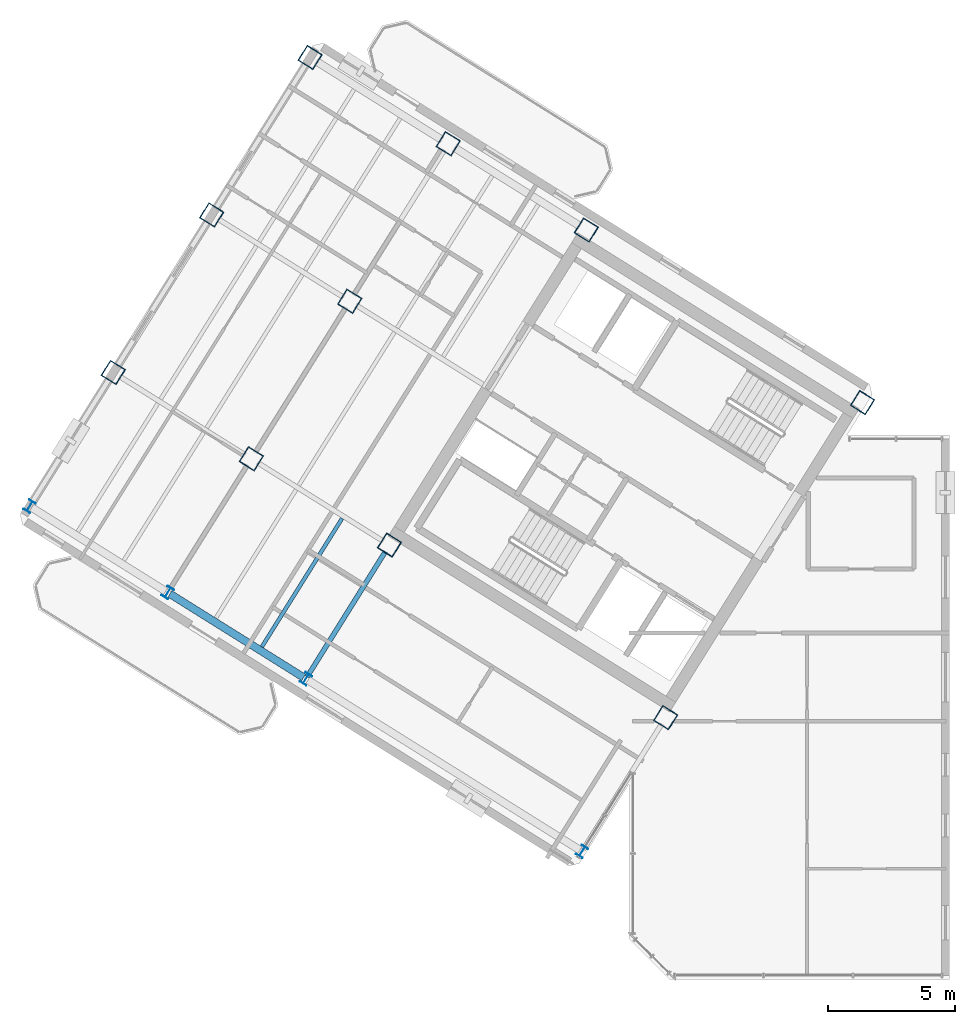
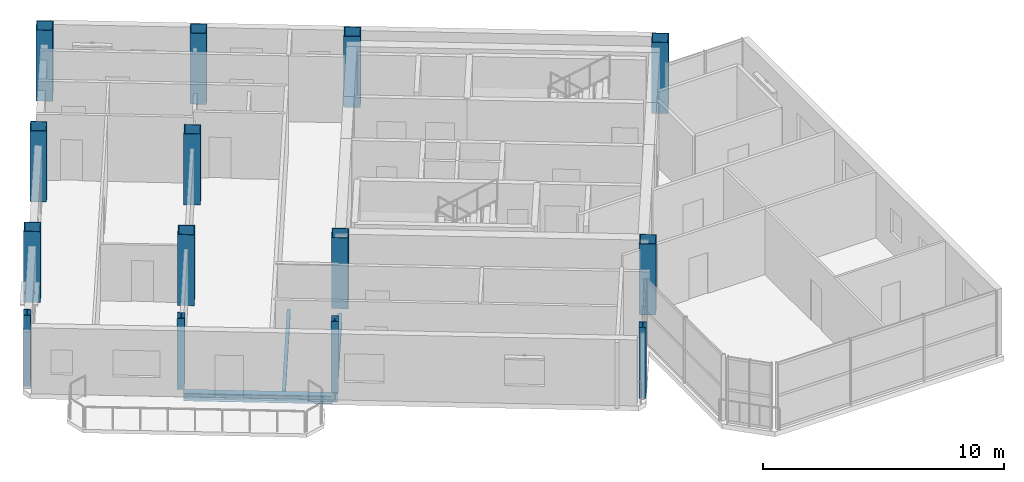
# One storey, part 1 of 12: 14 columns, 3 beams.
"""IFC4 building model written with IfcOpenShell, lengths in metres."""

from ifc_helpers import new_model, si_unit, direction, frame, origin, origin_2d, place, context, subcontext, project, spatial, hollow_rectangle, i_section, extrude, source, transform, mapped, material, material_profile, profile_set, type_object, element, save


model = new_model("IFC4")

# Units and contexts
model_context = context("Model", 3, precision=1e-05, world=origin(), true_north=direction((0.0, 1.0)))
body_context = subcontext(model_context, "Body", "Model", "MODEL_VIEW")
ifc_project = project(units=[si_unit("LENGTHUNIT", "METRE"), si_unit("AREAUNIT", "SQUARE_METRE"), si_unit("VOLUMEUNIT", "CUBIC_METRE"), si_unit("PLANEANGLEUNIT", "RADIAN"), si_unit("MASSUNIT", "GRAM", prefix="KILO")], contexts=[model_context])

# Site, building, storey
site_placement = place(None, origin())
site = spatial("IfcSite", under=ifc_project, at=site_placement, CompositionType="ELEMENT")
building_placement = place(site_placement, origin())
building = spatial("IfcBuilding", under=site, at=building_placement, Name="Tlacorven Tower", CompositionType="ELEMENT")
storey_placement = place(building_placement, frame((0.0, 0.0, 288.0)))
storey = spatial("IfcBuildingStorey", under=building, at=storey_placement, Name="L73", CompositionType="ELEMENT", Elevation=288.0)

# Columns
ifc_material_1 = material(Name="Steel S355J2", Category="steel")
ifc_material_profile_1 = material_profile(ifc_material_1, i_section(OverallWidth=0.300048828125, OverallDepth=0.449951171875, WebThickness=0.013916015625, FlangeThickness=0.02587890625, at=origin_2d()), Name="HEB 450")
ifc_profile_set_1 = profile_set([ifc_material_profile_1], Name="Steel S355J2")
column_type_1 = type_object("IfcColumnType", Name="COL-TWR-P3", PredefinedType="COLUMN", material=ifc_profile_set_1)
shared_shape_1 = source(origin(), body_context, "Body", "SweptSolid", [
    extrude(i_section(OverallWidth=0.300048828125, OverallDepth=0.449951171875, WebThickness=0.013916015625, FlangeThickness=0.02587890625, at=origin_2d()), origin(), (0.0, 0.0, 1.0), 3.60009765625),
])
for number, where, z_axis, x_axis, name in (
    (1, (29.7607421875, 6.8291015625, 0.0), (0.0, 0.0, 1.0), (-0.848048096156, 0.529919264233, 0.0), "L73 column COL-L73-W1-4"),
    (2, (18.905517578125, 13.612060546875, 0.0), (0.0, 0.0, 1.0), (-0.848048096156, 0.529919264233, 0.0), "L73 column COL-L73-W3-4"),
    (3, (13.47802734375, 17.00341796875, 0.0), (0.0, 0.0, 1.0), (-0.848048096156, 0.529919264233, 0.0), "L73 column COL-L73-W4-4"),
    (4, (8.050537109375, 20.39501953125, 0.0), (0.0, 0.0, 1.0), (-0.848048096156, 0.529919264233, 0.0), "L73 column COL-L73-W5-4"),
):
    element("IfcColumn", number, at=place(storey_placement, frame(where, z_axis=z_axis, x_axis=x_axis)), inside=storey, type_object=column_type_1, Name=name, PredefinedType="COLUMN", context=body_context, shape_type="MappedRepresentation", body=[
        mapped(shared_shape_1, transform((0.0, 0.0, 0.0), scale=1.0)),
    ])
ifc_material_2 = material(Name="Steel S460M", Category="steel")
ifc_material_profile_2 = material_profile(ifc_material_2, hollow_rectangle(XDim=0.699951171875, YDim=0.699951171875, WallThickness=0.028076171875, at=origin_2d()), Name="BOX 700X700X28")
ifc_profile_set_2 = profile_set([ifc_material_profile_2], Name="Steel S460M")
column_type_2 = type_object("IfcColumnType", Name="COL-TWR-S4", PredefinedType="COLUMN", material=ifc_profile_set_2)
shared_shape_2 = source(origin(), body_context, "Body", "SweptSolid", [
    extrude(hollow_rectangle(XDim=0.699951171875, YDim=0.699951171875, WallThickness=0.028076171875, at=origin_2d()), origin(), (0.0, 0.0, 1.0), 3.60009765625),
])
for number, where, z_axis, x_axis, name in (
    (5, (40.782958984375, 24.468505859375, 0.0), (0.0, 0.0, 1.0), (-0.848048096156, 0.529919264233, 0.0), "L73 column COL-L73-W1-1"),
    (6, (33.046142578125, 12.0869140625, 0.0), (0.0, 0.0, 1.0), (-0.848048096156, 0.529919264233, 0.0), "L73 column COL-L73-W1-3"),
    (7, (29.927978515625, 31.25146484375, 0.0), (0.0, 0.0, 1.0), (-0.848048096156, 0.529919264233, 0.0), "L73 column COL-L73-W3-1"),
    (8, (22.191162109375, 18.869873046875, 0.0), (0.0, 0.0, 1.0), (-0.848048096156, 0.529919264233, 0.0), "L73 column COL-L73-W3-3"),
    (9, (24.50048828125, 34.642822265625, 0.0), (0.0, 0.0, 1.0), (-0.848048096156, 0.529919264233, 0.0), "L73 column COL-L73-W4-1"),
    (10, (20.632080078125, 28.4521484375, 0.0), (0.0, 0.0, 1.0), (-0.848048096156, 0.529919264233, 0.0), "L73 column COL-L73-W4-2"),
    (11, (16.763671875, 22.26123046875, 0.0), (0.0, 0.0, 1.0), (-0.848048096156, 0.529919264233, 0.0), "L73 column COL-L73-W4-3"),
    (12, (19.072998046875, 38.034423828125, 0.0), (0.0, 0.0, 1.0), (-0.848048096156, 0.529919264233, 0.0), "L73 column COL-L73-W5-1"),
    (13, (15.20458984375, 31.843505859375, 0.0), (0.0, 0.0, 1.0), (-0.848048096156, 0.529919264233, 0.0), "L73 column COL-L73-W5-2"),
    (14, (11.336181640625, 25.65283203125, 0.0), (0.0, 0.0, 1.0), (-0.848048096156, 0.529919264233, 0.0), "L73 column COL-L73-W5-3"),
):
    element("IfcColumn", number, at=place(storey_placement, frame(where, z_axis=z_axis, x_axis=x_axis)), inside=storey, type_object=column_type_2, Name=name, PredefinedType="COLUMN", context=body_context, shape_type="MappedRepresentation", body=[
        mapped(shared_shape_2, transform((0.0, 0.0, 0.0), scale=1.0)),
    ])

# Beams
ifc_material_profile_3 = material_profile(ifc_material_1, i_section(OverallWidth=0.300048828125, OverallDepth=0.389892578125, WebThickness=0.010986328125, FlangeThickness=0.01904296875, at=origin_2d()), Name="HEA 400")
ifc_profile_set_3 = profile_set([ifc_material_profile_3], Name="Steel S355J2")
beam_type_1 = type_object("IfcBeamType", Name="BM-SPN-400", PredefinedType="SPANDREL", material=ifc_profile_set_3)
shared_shape_3 = source(origin(), body_context, "Body", "SweptSolid", [
    extrude(i_section(OverallWidth=0.300048828125, OverallDepth=0.389892578125, WebThickness=0.010986328125, FlangeThickness=0.01904296875, at=origin_2d()), origin(), (0.0, 0.0, 1.0), 6.199951171875),
])
beam_1_placement = place(storey_placement, frame((18.82080078125, 13.6650390625, -0.445068359375), z_axis=(-0.848051394107, 0.529913986372, 0.0), x_axis=(-0.529913986372, -0.848051394107, 0.0)))
element("IfcBeam", 15, at=beam_1_placement, inside=storey, type_object=beam_type_1, Name="L73 beam BM-L73-WL4-3", PredefinedType="SPANDREL", context=body_context, shape_type="MappedRepresentation", body=[
    mapped(shared_shape_3, transform((0.0, 0.0, 0.0), scale=1.0)),
])
ifc_material_profile_4 = material_profile(ifc_material_1, i_section(OverallWidth=0.14990234375, OverallDepth=0.300048828125, WebThickness=0.007080078125, FlangeThickness=0.0107421875, at=origin_2d()), Name="IPE 300")
ifc_profile_set_4 = profile_set([ifc_material_profile_4], Name="Steel S355J2")
beam_type_2 = type_object("IfcBeamType", Name="BM-JST-300", PredefinedType="JOIST", material=ifc_profile_set_4)
shared_shape_4 = source(origin(), body_context, "Body", "SweptSolid", [
    extrude(i_section(OverallWidth=0.14990234375, OverallDepth=0.300048828125, WebThickness=0.007080078125, FlangeThickness=0.0107421875, at=origin_2d()), origin(), (0.0, 0.0, 1.0), 5.945068359375),
])
beam_2_placement = place(storey_placement, frame((20.3291015625, 19.91552734375, -0.39990234375), z_axis=(-0.529914037113, -0.848051362401, 0.0), x_axis=(0.848051362401, -0.529914037113, 0.0)))
element("IfcBeam", 16, at=beam_2_placement, inside=storey, type_object=beam_type_2, Name="L73 beam BM-L73-WJ3-3-1", PredefinedType="JOIST", context=body_context, shape_type="MappedRepresentation", body=[
    mapped(shared_shape_4, transform((0.0, 0.0, 0.0), scale=1.0)),
])
ifc_material_profile_5 = material_profile(ifc_material_1, i_section(OverallWidth=0.18994140625, OverallDepth=0.449951171875, WebThickness=0.009521484375, FlangeThickness=0.0146484375, at=origin_2d()), Name="IPE 450")
ifc_profile_set_5 = profile_set([ifc_material_profile_5], Name="Steel S355J2")
beam_type_3 = type_object("IfcBeamType", Name="BM-TWR-450", PredefinedType="BEAM", material=ifc_profile_set_5)
shared_shape_5 = source(origin(), body_context, "Body", "SweptSolid", [
    extrude(i_section(OverallWidth=0.18994140625, OverallDepth=0.449951171875, WebThickness=0.009521484375, FlangeThickness=0.0146484375, at=origin_2d()), origin(), (0.0, 0.0, 1.0), 5.800048828125),
])
beam_3_placement = place(storey_placement, frame((22.0322265625, 18.615478515625, -0.47509765625), z_axis=(-0.52994218514, -0.848033773154, 0.0), x_axis=(0.848033773154, -0.52994218514, 0.0)))
element("IfcBeam", 17, at=beam_3_placement, inside=storey, type_object=beam_type_3, Name="L73 beam BM-L73-WT3-2", PredefinedType="BEAM", context=body_context, shape_type="MappedRepresentation", body=[
    mapped(shared_shape_5, transform((0.0, 0.0, 0.0), scale=1.0)),
])

save(model, "model.ifc")
